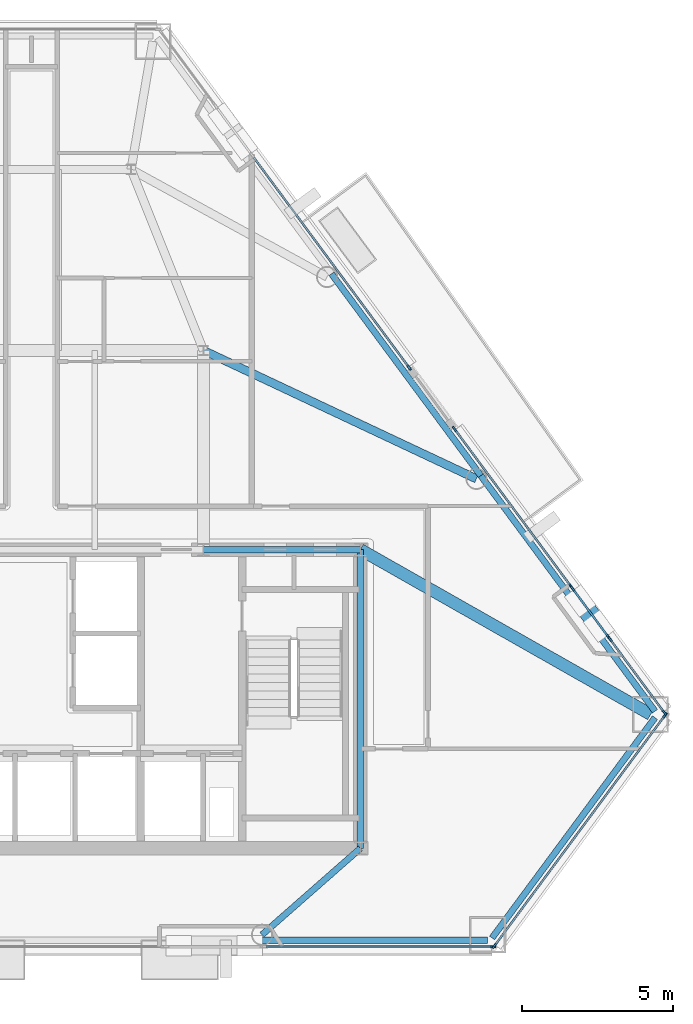
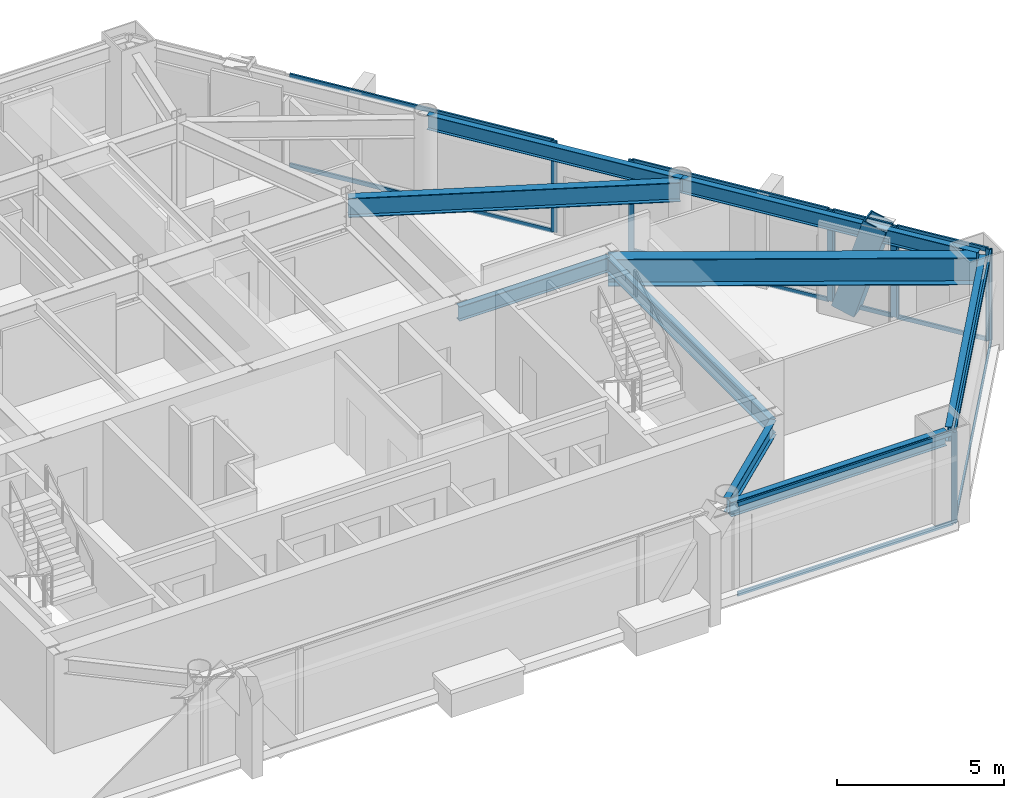
# One storey, part 5 of 11: 23 members, 9 beams, 6 elements without a shape of their own.
"""IFC4 building model written with IfcOpenShell, lengths in metres."""

import ifcopenshell
import ifcopenshell.guid

model = None  # the IFC model being written
_history = None  # IfcOwnerHistory: only IFC2X3 demands one
_inside = {}  # id of a spatial element -> (the spatial element, [elements in it])
_under = {}  # id of a project, library or spatial element -> (it, [spatial elements below it])
_declared = {}  # id of a project -> (the project, [libraries it declares])
_typed = {}  # id of a type object -> (the type object, [elements of that type])
_made_of = {}  # id of a material, layer set ... -> (it, [elements and type objects made of it])


def new_model(schema):
    """Start an empty IFC model of exactly this schema.

    Asked for "IFC4X3", IfcOpenShell would pick the latest addendum, in which some entities
    have other attributes; the version numbers below select the first issue.
    IFC2X3 requires an IfcOwnerHistory on every rooted entity: one is made here for all.
    """
    global model, _history
    if schema == "IFC4X3":
        model = ifcopenshell.file(schema_version=(4, 3, 0, 0))
    else:
        model = ifcopenshell.file(schema=schema)
    _inside.clear()
    _under.clear()
    _declared.clear()
    _typed.clear()
    _made_of.clear()
    _history = None
    if model.schema == "IFC2X3":
        org = make("IfcOrganization", Name="unknown")
        user = make(
            "IfcPersonAndOrganization",
            ThePerson=make("IfcPerson", FamilyName="unknown"),
            TheOrganization=org,
        )
        app = make(
            "IfcApplication",
            ApplicationDeveloper=org,
            Version="unknown",
            ApplicationFullName="unknown",
            ApplicationIdentifier="unknown",
        )
        _history = make(
            "IfcOwnerHistory",
            OwningUser=user,
            OwningApplication=app,
            ChangeAction="ADDED",
            CreationDate=0,
        )
    return model


def make(cls, **values):
    """One entity of the class cls with the attributes given. An attribute that is None is left unset."""
    return model.create_entity(
        cls, **{name: value for name, value in values.items() if value is not None}
    )


def rooted(cls, **values):
    """An entity with a GlobalId (a new one), such as an element, a storey or a relation."""
    return make(cls, GlobalId=ifcopenshell.guid.new(), OwnerHistory=_history, **values)


def si_unit(unit_type, name, prefix=None):
    """IfcSIUnit, for example si_unit("LENGTHUNIT", "METRE", prefix="MILLI")."""
    return make("IfcSIUnit", UnitType=unit_type, Prefix=prefix, Name=name)


def assignment(units):
    """IfcUnitAssignment: the units of a project."""
    return None if units is None else make("IfcUnitAssignment", Units=units)


def point(xyz):
    """IfcCartesianPoint."""
    return None if xyz is None else make("IfcCartesianPoint", Coordinates=xyz)


def direction(xyz):
    """IfcDirection."""
    return None if xyz is None else make("IfcDirection", DirectionRatios=xyz)


def frame(location, z_axis=None, x_axis=None):
    """IfcAxis2Placement3D, a coordinate frame: its origin and axes. An axis left out is left unset."""
    return make(
        "IfcAxis2Placement3D",
        Location=point(location),
        Axis=direction(z_axis),
        RefDirection=direction(x_axis),
    )


def frame_2d(location, x_axis=None):
    """IfcAxis2Placement2D, a coordinate frame in the plane: its origin and x axis."""
    return make(
        "IfcAxis2Placement2D", Location=point(location), RefDirection=direction(x_axis)
    )


def origin():
    """The frame at (0, 0, 0) with its axes left unset."""
    return frame((0.0, 0.0, 0.0))


def origin_2d():
    """The frame at (0, 0) in the plane with its x axis left unset."""
    return frame_2d((0.0, 0.0))


def place(relative_to, where):
    """IfcLocalPlacement: puts the frame where relative to a parent placement (None: the world)."""
    return make(
        "IfcLocalPlacement", PlacementRelTo=relative_to, RelativePlacement=where
    )


def context(
    kind, dimensions, precision=None, world=None, true_north=None, identifier=None
):
    """IfcGeometricRepresentationContext, for example the 3D "Model" context."""
    return make(
        "IfcGeometricRepresentationContext",
        ContextIdentifier=identifier,
        ContextType=kind,
        CoordinateSpaceDimension=dimensions,
        Precision=precision,
        WorldCoordinateSystem=world,
        TrueNorth=true_north,
    )


def subcontext(parent, identifier, kind, view, scale=None):
    """IfcGeometricRepresentationSubContext, for example "Body" below "Model"."""
    return make(
        "IfcGeometricRepresentationSubContext",
        ContextIdentifier=identifier,
        ContextType=kind,
        ParentContext=parent,
        TargetScale=scale,
        TargetView=view,
    )


def project(units=None, contexts=None):
    """IfcProject with its units and contexts."""
    return rooted(
        "IfcProject",
        Name="project",
        RepresentationContexts=contexts,
        UnitsInContext=assignment(units),
    )


def spatial(cls, under=None, at=None, **own):
    """A site, building, storey or space (cls), placed at a placement, below another one or the project."""
    s = rooted(cls, ObjectPlacement=at, **own)
    if under is not None:
        _under.setdefault(under.id(), (under, []))[1].append(s)
    return s


def profile(cls, at=None, kind="AREA", **sizes):
    """A parametric profile (cls). Its sizes go by their IFC names, for example OverallWidth=200.0."""
    return make(cls, ProfileType=kind, Position=at, **sizes)


def rectangle(**sizes):
    """IfcRectangleProfileDef."""
    return profile("IfcRectangleProfileDef", **sizes)


def hollow_rectangle(**sizes):
    """IfcRectangleHollowProfileDef."""
    return profile("IfcRectangleHollowProfileDef", **sizes)


def i_section(**sizes):
    """IfcIShapeProfileDef."""
    return profile("IfcIShapeProfileDef", **sizes)


def extrude(swept, where, along, depth):
    """IfcExtrudedAreaSolid: the profile swept, set in the frame where, extruded along a direction by depth."""
    return make(
        "IfcExtrudedAreaSolid",
        SweptArea=swept,
        Position=where,
        ExtrudedDirection=direction(along),
        Depth=depth,
    )


def shape(context_of_items, identifier, shape_type, items):
    """IfcShapeRepresentation: the items that make up one representation, for example the "Body"."""
    return make(
        "IfcShapeRepresentation",
        ContextOfItems=context_of_items,
        RepresentationIdentifier=identifier,
        RepresentationType=shape_type,
        Items=items,
    )


def material(Name=None, Category=None):
    """IfcMaterial."""
    return make("IfcMaterial", Name=Name, Category=Category)


def layer(
    of_material, thickness, ventilated=None, Name=None, Category=None, Priority=None
):
    """IfcMaterialLayer: one layer of a wall or slab, of a material (None: an air gap)."""
    return make(
        "IfcMaterialLayer",
        Material=of_material,
        LayerThickness=thickness,
        IsVentilated=ventilated,
        Name=Name,
        Category=Category,
        Priority=Priority,
    )


def layer_set(layers, Name=None):
    """IfcMaterialLayerSet."""
    return make("IfcMaterialLayerSet", MaterialLayers=layers, LayerSetName=Name)


def material_profile(
    of_material, cross_section, Name=None, Category=None, Priority=None
):
    """IfcMaterialProfile: a cross section and its material."""
    return make(
        "IfcMaterialProfile",
        Name=Name,
        Material=of_material,
        Profile=cross_section,
        Priority=Priority,
        Category=Category,
    )


def profile_set(profiles, Name=None, composite=None):
    """IfcMaterialProfileSet."""
    return make(
        "IfcMaterialProfileSet",
        Name=Name,
        MaterialProfiles=profiles,
        CompositeProfile=composite,
    )


def made_of(thing, what):
    """Note that an element or type object is made of a material, layer set ...; save() writes the relation."""
    if what is not None:
        _made_of.setdefault(what.id(), (what, []))[1].append(thing)
    return thing


def type_object(cls, material=None, **own):
    """A type object (cls), such as IfcWallType, which elements share."""
    return made_of(rooted(cls, **own), material)


def element(
    cls,
    number,
    at=None,
    inside=None,
    cuts=None,
    type_object=None,
    material=None,
    context=None,
    identifier="Body",
    shape_type=None,
    held_by="IfcProductDefinitionShape",
    body=None,
    shapes=None,
    **own,
):
    """One element of the class cls, such as IfcWall. Its Tag is "e" and its number.

    at: its placement. inside: the storey or other place that contains it. cuts: it is an
    opening in that element (IfcRelVoidsElement). A single representation is given by context,
    identifier, shape_type and body (its items); several are given by shapes. held_by: the class
    of the entity that holds the representations. save() writes the other relations.
    """
    e = rooted(cls, Tag="e%d" % number, ObjectPlacement=at, **own)
    if body is not None:
        shapes = [shape(context, identifier, shape_type, body)]
    if shapes is not None:
        e.Representation = make(held_by, Representations=shapes)
    if inside is not None:
        _inside.setdefault(inside.id(), (inside, []))[1].append(e)
    if cuts is not None:
        rooted(
            "IfcRelVoidsElement", RelatingBuildingElement=cuts, RelatedOpeningElement=e
        )
    if type_object is not None:
        _typed.setdefault(type_object.id(), (type_object, []))[1].append(e)
    return made_of(e, material)


def aggregate(whole, parts):
    """IfcRelAggregates: a whole, such as a stair, and the parts it consists of."""
    return rooted("IfcRelAggregates", RelatingObject=whole, RelatedObjects=parts)


def save(model, path):
    """Write the relations noted so far, then the file.

    IfcRelAggregates (storeys below a building ...), IfcRelContainedInSpatialStructure (elements
    in a storey), IfcRelDefinesByType, IfcRelAssociatesMaterial and IfcRelDeclares: one each for
    every whole, place, type object, material and project.
    """
    for whole, parts in _under.values():
        aggregate(whole, parts)
    for where, things in _inside.values():
        rooted(
            "IfcRelContainedInSpatialStructure",
            RelatedElements=things,
            RelatingStructure=where,
        )
    for kind, things in _typed.values():
        rooted("IfcRelDefinesByType", RelatedObjects=things, RelatingType=kind)
    for what, things in _made_of.values():
        rooted("IfcRelAssociatesMaterial", RelatedObjects=things, RelatingMaterial=what)
    for by, libraries in _declared.values():
        rooted("IfcRelDeclares", RelatingContext=by, RelatedDefinitions=libraries)
    model.write(path)


model = new_model("IFC4")

# Units and contexts
model_context = context("Model", 3, precision=1e-05, world=origin(), true_north=direction((0.0, 1.0)))
body_context = subcontext(model_context, "Body", "Model", "MODEL_VIEW")
ifc_project = project(units=[si_unit("LENGTHUNIT", "METRE"), si_unit("AREAUNIT", "SQUARE_METRE"), si_unit("VOLUMEUNIT", "CUBIC_METRE"), si_unit("PLANEANGLEUNIT", "RADIAN"), si_unit("MASSUNIT", "GRAM", prefix="KILO")], contexts=[model_context])

# Site, building, storey
site_placement = place(None, origin())
site = spatial("IfcSite", under=ifc_project, at=site_placement, CompositionType="ELEMENT")
building_placement = place(site_placement, origin())
building = spatial("IfcBuilding", under=site, at=building_placement, Name="Talgorran Terracotta Tower", CompositionType="ELEMENT")
storey_placement = place(building_placement, frame((0.0, 0.0, 122.10009765625)))
storey = spatial("IfcBuildingStorey", under=building, at=storey_placement, Name="L31", CompositionType="ELEMENT", Elevation=122.10009765625)

# Beams
ifc_material_1 = material(Name="Steel Grade 350 (350L0)", Category="steel")
ifc_material_profile_1 = material_profile(ifc_material_1, i_section(OverallWidth=0.39990234375, OverallDepth=1.0, WebThickness=0.01611328125, FlangeThickness=0.031005859375, at=origin_2d()), Name="1000WB296")
ifc_profile_set_1 = profile_set([ifc_material_profile_1], Name="Steel Grade 350 (350L0)")
beam_type_1 = type_object("IfcBeamType", Name="BM_1000WB296", PredefinedType="BEAM", material=ifc_profile_set_1)
beam_1_placement = place(storey_placement, frame((12.39990234375, -4.199951171875, 2.849853515625), z_axis=(0.869581927132, -0.493788691654, 0.0), x_axis=(0.493788691654, 0.869581927132, 0.0)))
element("IfcBeam", 1, at=beam_1_placement, inside=storey, type_object=beam_type_1, Name="L31 Floor Girder G18", PredefinedType="BEAM", context=body_context, shape_type="SweptSolid", body=[
    extrude(i_section(OverallWidth=0.39990234375, OverallDepth=1.0, WebThickness=0.01611328125, FlangeThickness=0.031005859375, at=origin_2d()), origin(), (0.0, 0.0, 1.0), 11.061279296875),
])
ifc_material_2 = material(Name="Steel S355 (300PLUS)", Category="steel")
ifc_material_profile_2 = material_profile(ifc_material_2, i_section(OverallWidth=0.27490234375, OverallDepth=0.7080078125, WebThickness=0.011962890625, FlangeThickness=0.02490234375, at=origin_2d()), Name="700WB173")
ifc_profile_set_2 = profile_set([ifc_material_profile_2], Name="Steel S355 (300PLUS)")
beam_type_2 = type_object("IfcBeamType", Name="BM_700WB173", PredefinedType="BEAM", material=ifc_profile_set_2)
beam_2_placement = place(storey_placement, frame((7.199951171875, 2.39990234375, 2.995849609375), z_axis=(0.904850249914, -0.425729990992, 0.0), x_axis=(0.425729990992, 0.904850249914, 0.0)))
element("IfcBeam", 2, at=beam_2_placement, inside=storey, type_object=beam_type_2, Name="L31 Floor Girder G07", PredefinedType="BEAM", context=body_context, shape_type="SweptSolid", body=[
    extrude(i_section(OverallWidth=0.27490234375, OverallDepth=0.7080078125, WebThickness=0.011962890625, FlangeThickness=0.02490234375, at=origin_2d()), origin(), (0.0, 0.0, 1.0), 9.99609375),
])
ifc_material_profile_3 = material_profile(ifc_material_2, i_section(OverallWidth=0.209228515625, OverallDepth=0.532958984375, WebThickness=0.01025390625, FlangeThickness=0.015625, at=origin_2d()), Name="530UB92.4")
ifc_profile_set_3 = profile_set([ifc_material_profile_3], Name="Steel S355 (300PLUS)")
beam_type_3 = type_object("IfcBeamType", Name="BM_SP_530UB92", PredefinedType="SPANDREL", material=ifc_profile_set_3)
beam_3_placement = place(storey_placement, frame((9.14013671875, -17.143310546875, 3.08349609375), z_axis=(1.0, 0.0, 0.0), x_axis=(0.0, 1.0, 0.0)))
element("IfcBeam", 3, at=beam_3_placement, inside=storey, type_object=beam_type_3, Name="L31 Perimeter Spandrel Beam FC2-MC3", PredefinedType="SPANDREL", context=body_context, shape_type="SweptSolid", body=[
    extrude(i_section(OverallWidth=0.209228515625, OverallDepth=0.532958984375, WebThickness=0.01025390625, FlangeThickness=0.015625, at=origin_2d()), origin(), (0.0, 0.0, 1.0), 7.478271484375),
])
beam_4_placement = place(storey_placement, frame((16.762939453125, -17.0703125, 3.08349609375), z_axis=(0.594631406603, 0.803998439228, 0.0), x_axis=(-0.803998439228, 0.594631406603, 0.0)))
element("IfcBeam", 4, at=beam_4_placement, inside=storey, type_object=beam_type_3, Name="L31 Perimeter Spandrel Beam MC3-MC4", PredefinedType="SPANDREL", context=body_context, shape_type="SweptSolid", body=[
    extrude(i_section(OverallWidth=0.209228515625, OverallDepth=0.532958984375, WebThickness=0.01025390625, FlangeThickness=0.015625, at=origin_2d()), origin(), (0.0, 0.0, 1.0), 9.08154296875),
])
beam_5_placement = place(storey_placement, frame((22.1630859375, -9.554931640625, 3.08349609375), z_axis=(-0.594623640759, 0.804004182732, 0.0), x_axis=(-0.804004182732, -0.594623640759, 0.0)))
element("IfcBeam", 5, at=beam_5_placement, inside=storey, type_object=beam_type_3, Name="L31 Perimeter Spandrel Beam MC4-FC3", PredefinedType="SPANDREL", context=body_context, shape_type="SweptSolid", body=[
    extrude(i_section(OverallWidth=0.209228515625, OverallDepth=0.532958984375, WebThickness=0.01025390625, FlangeThickness=0.015625, at=origin_2d()), origin(), (0.0, 0.0, 1.0), 9.70947265625),
])
beam_6_placement = place(storey_placement, frame((16.3896484375, -1.74853515625, 3.08349609375), z_axis=(-0.594631062308, 0.803998693866, 0.0), x_axis=(-0.803998693866, -0.594631062308, 0.0)))
element("IfcBeam", 6, at=beam_6_placement, inside=storey, type_object=beam_type_3, Name="L31 Perimeter Spandrel Beam FC3-FC4", PredefinedType="SPANDREL", context=body_context, shape_type="SweptSolid", body=[
    extrude(i_section(OverallWidth=0.209228515625, OverallDepth=0.532958984375, WebThickness=0.01025390625, FlangeThickness=0.015625, at=origin_2d()), origin(), (0.0, 0.0, 1.0), 8.322265625),
])
beam_7_placement = place(storey_placement, frame((12.39990234375, -14.10009765625, 3.08349609375), z_axis=(-0.751320451725, -0.659937556758, 0.0), x_axis=(0.659937556758, -0.751320451725, 0.0)))
element("IfcBeam", 7, at=beam_7_placement, inside=storey, type_object=beam_type_3, Name="L31 South-East Core Tie Beam", PredefinedType="SPANDREL", context=body_context, shape_type="SweptSolid", body=[
    extrude(i_section(OverallWidth=0.209228515625, OverallDepth=0.532958984375, WebThickness=0.01025390625, FlangeThickness=0.015625, at=origin_2d()), origin(), (0.0, 0.0, 1.0), 4.338623046875),
])
beam_8_placement = place(storey_placement, frame((12.39990234375, -14.10009765625, 3.08349609375), z_axis=(0.0, 1.0, 0.0), x_axis=(-1.0, 0.0, 0.0)))
element("IfcBeam", 8, at=beam_8_placement, inside=storey, type_object=beam_type_3, Name="L31 Core Frame Beam CFE", PredefinedType="SPANDREL", context=body_context, shape_type="SweptSolid", body=[
    extrude(i_section(OverallWidth=0.209228515625, OverallDepth=0.532958984375, WebThickness=0.01025390625, FlangeThickness=0.015625, at=origin_2d()), origin(), (0.0, 0.0, 1.0), 9.900146484375),
])
beam_9_placement = place(storey_placement, frame((7.199951171875, -4.199951171875, 3.08349609375), z_axis=(1.0, 0.0, 0.0), x_axis=(0.0, 1.0, 0.0)))
element("IfcBeam", 9, at=beam_9_placement, inside=storey, type_object=beam_type_3, Name="L31 Core Frame Beam CFN4", PredefinedType="SPANDREL", context=body_context, shape_type="SweptSolid", body=[
    extrude(i_section(OverallWidth=0.209228515625, OverallDepth=0.532958984375, WebThickness=0.01025390625, FlangeThickness=0.015625, at=origin_2d()), origin(), (0.0, 0.0, 1.0), 5.199951171875),
])

# Member
ifc_material_profile_4 = material_profile(ifc_material_1, hollow_rectangle(XDim=0.6201171875, YDim=0.780029296875, WallThickness=0.0419921875, at=origin_2d()), Name="WBOX780X620X42")
ifc_profile_set_4 = profile_set([ifc_material_profile_4], Name="Steel Grade 350 (350L0)")
member_type_1 = type_object("IfcMemberType", Name="MB_MEGA_780", PredefinedType="BRACE", material=ifc_profile_set_4)
member_1_placement = place(storey_placement, frame((19.683837890625, -5.899658203125, -0.025146484375), z_axis=(0.174360694354, -0.235798813034, 0.956032043415), x_axis=(0.804054507608, 0.594555589323, 0.0)))
element("IfcMember", 10, at=member_1_placement, inside=storey, type_object=member_type_1, Name="L31 Exterior Face Mega-Brace MB-2 (NEL)", PredefinedType="BRACE", context=body_context, shape_type="SweptSolid", body=[
    extrude(hollow_rectangle(XDim=0.6201171875, YDim=0.780029296875, WallThickness=0.0419921875, at=origin_2d()), origin(), (0.0, 0.0, 1.0), 3.556640625),
])

# Curtain wall, member
ifc_material_3 = material(Name="Unitised Low-E Double Glazing", Category="glass")
ifc_layer = layer(ifc_material_3, 0.199951171875, Name="CW_SYS2_RES_LOW")
ifc_layer_set = layer_set([ifc_layer], Name="Unitised Low-E Double Glazing")
curtain_wall_type = type_object("IfcCurtainWallType", Name="CW_SYS2_RES_LOW", PredefinedType="NOTDEFINED", material=ifc_layer_set)
curtain_wall_1_placement = place(storey_placement, origin())
curtain_wall_1 = element("IfcCurtainWall", 11, at=curtain_wall_1_placement, inside=storey, type_object=curtain_wall_type, Name="CW-L31-F1E", PredefinedType="NOTDEFINED")
ifc_material_4 = material(Name="Architectural Aluminium 6063-T6", Category="aluminium")
ifc_material_profile_5 = material_profile(ifc_material_4, rectangle(XDim=0.06494140625, YDim=0.18505859375, at=origin_2d()), Name="CWM65X185")
ifc_profile_set_5 = profile_set([ifc_material_profile_5], Name="Architectural Aluminium 6063-T6")
member_type_2 = type_object("IfcMemberType", Name="MUL_65X185", PredefinedType="MULLION", material=ifc_profile_set_5)
member_2_placement = place(storey_placement, frame((16.78759765625, -17.36328125, 0.0), z_axis=(0.0, 0.0, 1.0), x_axis=(0.0, 1.0, 0.0)))
member_2 = element("IfcMember", 12, at=member_2_placement, type_object=member_type_2, Name="CW-L31-1E mullion 2", PredefinedType="MULLION", context=body_context, shape_type="SweptSolid", body=[
    extrude(rectangle(XDim=0.06494140625, YDim=0.18505859375, at=origin_2d()), origin(), (0.0, 0.0, 1.0), 3.349853515625),
])

# Curtain wall, members
curtain_wall_2_placement = place(storey_placement, origin())
curtain_wall_2 = element("IfcCurtainWall", 13, at=curtain_wall_2_placement, inside=storey, type_object=curtain_wall_type, Name="CW-L31-F2", PredefinedType="NOTDEFINED")
member_3_placement = place(storey_placement, frame((16.83935546875, -17.337158203125, 0.0), z_axis=(0.0, 0.0, 1.0), x_axis=(-0.803993423692, 0.594638188027, 0.0)))
member_3 = element("IfcMember", 14, at=member_3_placement, type_object=member_type_2, Name="CW-L31-2 mullion 1", PredefinedType="MULLION", context=body_context, shape_type="SweptSolid", body=[
    extrude(rectangle(XDim=0.06494140625, YDim=0.18505859375, at=origin_2d()), origin(), (0.0, 0.0, 1.0), 3.349853515625),
])
member_4_placement = place(storey_placement, frame((22.49658203125, -9.68798828125, 0.0), z_axis=(0.0, 0.0, 1.0), x_axis=(-0.803993423692, 0.594638188027, 0.0)))
member_4 = element("IfcMember", 15, at=member_4_placement, type_object=member_type_2, Name="CW-L31-2 mullion 2", PredefinedType="MULLION", context=body_context, shape_type="SweptSolid", body=[
    extrude(rectangle(XDim=0.06494140625, YDim=0.18505859375, at=origin_2d()), origin(), (0.0, 0.0, 1.0), 3.349853515625),
])

curtain_wall_3_placement = place(storey_placement, origin())
curtain_wall_3 = element("IfcCurtainWall", 16, at=curtain_wall_3_placement, inside=storey, type_object=curtain_wall_type, Name="CW-L31-F40", PredefinedType="NOTDEFINED")
member_5_placement = place(storey_placement, frame((22.472900390625, -9.603515625, 0.0), z_axis=(0.0, 0.0, 1.0), x_axis=(-0.803994981019, -0.594636082403, 0.0)))
member_5 = element("IfcMember", 17, at=member_5_placement, type_object=member_type_2, Name="CW-L31-40 mullion 1", PredefinedType="MULLION", context=body_context, shape_type="SweptSolid", body=[
    extrude(rectangle(XDim=0.06494140625, YDim=0.18505859375, at=origin_2d()), origin(), (0.0, 0.0, 1.0), 3.349853515625),
])
member_6_placement = place(storey_placement, frame((20.66943359375, -7.1650390625, 0.0), z_axis=(0.0, 0.0, 1.0), x_axis=(-0.803994981019, -0.594636082403, 0.0)))
member_6 = element("IfcMember", 18, at=member_6_placement, type_object=member_type_2, Name="CW-L31-40 mullion 2", PredefinedType="MULLION", context=body_context, shape_type="SweptSolid", body=[
    extrude(rectangle(XDim=0.06494140625, YDim=0.18505859375, at=origin_2d()), origin(), (0.0, 0.0, 1.0), 3.349853515625),
])

curtain_wall_4_placement = place(storey_placement, origin())
curtain_wall_4 = element("IfcCurtainWall", 19, at=curtain_wall_4_placement, inside=storey, type_object=curtain_wall_type, Name="CW-L31-F40B", PredefinedType="NOTDEFINED")
member_7_placement = place(storey_placement, frame((20.624755859375, -7.104736328125, 0.0), z_axis=(0.0, 0.0, 1.0), x_axis=(-0.803994148166, -0.594637208485, 0.0)))
member_7 = element("IfcMember", 20, at=member_7_placement, type_object=member_type_2, Name="CW-L31-40B mullion 1", PredefinedType="MULLION", context=body_context, shape_type="SweptSolid", body=[
    extrude(rectangle(XDim=0.06494140625, YDim=0.18505859375, at=origin_2d()), origin(), (0.0, 0.0, 1.0), 3.349853515625),
])
member_8_placement = place(storey_placement, frame((19.42724609375, -5.48583984375, 0.0), z_axis=(0.0, 0.0, 1.0), x_axis=(-0.803994148166, -0.594637208485, 0.0)))
member_8 = element("IfcMember", 21, at=member_8_placement, type_object=member_type_2, Name="CW-L31-40B mullion 2", PredefinedType="MULLION", context=body_context, shape_type="SweptSolid", body=[
    extrude(rectangle(XDim=0.06494140625, YDim=0.18505859375, at=origin_2d()), origin(), (0.0, 0.0, 1.0), 3.349853515625),
])

curtain_wall_5_placement = place(storey_placement, origin())
curtain_wall_5 = element("IfcCurtainWall", 22, at=curtain_wall_5_placement, inside=storey, type_object=curtain_wall_type, Name="CW-L31-F40C", PredefinedType="NOTDEFINED")
member_9_placement = place(storey_placement, frame((19.382568359375, -5.425537109375, 0.0), z_axis=(0.0, 0.0, 1.0), x_axis=(-0.803994997978, -0.594636059474, 0.0)))
member_9 = element("IfcMember", 23, at=member_9_placement, type_object=member_type_2, Name="CW-L31-40C mullion 1", PredefinedType="MULLION", context=body_context, shape_type="SweptSolid", body=[
    extrude(rectangle(XDim=0.06494140625, YDim=0.18505859375, at=origin_2d()), origin(), (0.0, 0.0, 1.0), 3.349853515625),
])
member_10_placement = place(storey_placement, frame((15.518310546875, -0.200439453125, 0.0), z_axis=(0.0, 0.0, 1.0), x_axis=(-0.803994997978, -0.594636059474, 0.0)))
member_10 = element("IfcMember", 24, at=member_10_placement, type_object=member_type_2, Name="CW-L31-40C mullion 2", PredefinedType="MULLION", context=body_context, shape_type="SweptSolid", body=[
    extrude(rectangle(XDim=0.06494140625, YDim=0.18505859375, at=origin_2d()), origin(), (0.0, 0.0, 1.0), 3.349853515625),
])

# Curtain wall, member
curtain_wall_6_placement = place(storey_placement, origin())
curtain_wall_6 = element("IfcCurtainWall", 25, at=curtain_wall_6_placement, inside=storey, type_object=curtain_wall_type, Name="CW-L31-F41", PredefinedType="NOTDEFINED")
member_11_placement = place(storey_placement, frame((14.016845703125, 1.82958984375, 0.0), z_axis=(0.0, 0.0, 1.0), x_axis=(-0.803997273561, -0.594632982692, 0.0)))
member_11 = element("IfcMember", 26, at=member_11_placement, type_object=member_type_2, Name="CW-L31-41 mullion 1", PredefinedType="MULLION", context=body_context, shape_type="SweptSolid", body=[
    extrude(rectangle(XDim=0.06494140625, YDim=0.18505859375, at=origin_2d()), origin(), (0.0, 0.0, 1.0), 3.349853515625),
])

# Member
ifc_material_profile_6 = material_profile(ifc_material_4, rectangle(XDim=0.06494140625, YDim=0.14990234375, at=origin_2d()), Name="CWT65X150")
ifc_profile_set_6 = profile_set([ifc_material_profile_6], Name="Architectural Aluminium 6063-T6")
member_type_3 = type_object("IfcMemberType", Name="TRN_65X150", PredefinedType="USERDEFINED", material=ifc_profile_set_6)
member_12_placement = place(storey_placement, frame((9.276611328125, -17.36328125, 0.032470703125), z_axis=(1.0, 0.0, 0.0), x_axis=(0.0, 1.0, 0.0)))
member_12 = element("IfcMember", 27, at=member_12_placement, type_object=member_type_3, Name="CW-L31-1E transom 1.1", ObjectType="TRANSOM", PredefinedType="USERDEFINED", context=body_context, shape_type="SweptSolid", body=[
    extrude(rectangle(XDim=0.06494140625, YDim=0.14990234375, at=origin_2d()), origin(), (0.0, 0.0, 1.0), 7.478271484375),
])

member_13_placement = place(storey_placement, frame((9.276611328125, -17.36328125, 3.3173828125), z_axis=(1.0, 0.0, 0.0), x_axis=(0.0, 1.0, 0.0)))
member_13 = element("IfcMember", 28, at=member_13_placement, type_object=member_type_3, Name="CW-L31-1E transom 1.2", ObjectType="TRANSOM", PredefinedType="USERDEFINED", context=body_context, shape_type="SweptSolid", body=[
    extrude(rectangle(XDim=0.06494140625, YDim=0.14990234375, at=origin_2d()), origin(), (0.0, 0.0, 1.0), 7.478271484375),
])

aggregate(curtain_wall_1, [member_2, member_12, member_13])

member_14_placement = place(storey_placement, frame((16.858642578125, -17.31103515625, 0.032470703125), z_axis=(0.594632956337, 0.803997293054, 0.0), x_axis=(-0.803997293054, 0.594632956337, 0.0)))
member_14 = element("IfcMember", 29, at=member_14_placement, type_object=member_type_3, Name="CW-L31-2 transom 1.1", ObjectType="TRANSOM", PredefinedType="USERDEFINED", context=body_context, shape_type="SweptSolid", body=[
    extrude(rectangle(XDim=0.06494140625, YDim=0.14990234375, at=origin_2d()), origin(), (0.0, 0.0, 1.0), 9.448974609375),
])

member_15_placement = place(storey_placement, frame((16.858642578125, -17.31103515625, 3.3173828125), z_axis=(0.594632956337, 0.803997293054, 0.0), x_axis=(-0.803997293054, 0.594632956337, 0.0)))
member_15 = element("IfcMember", 30, at=member_15_placement, type_object=member_type_3, Name="CW-L31-2 transom 1.2", ObjectType="TRANSOM", PredefinedType="USERDEFINED", context=body_context, shape_type="SweptSolid", body=[
    extrude(rectangle(XDim=0.06494140625, YDim=0.14990234375, at=origin_2d()), origin(), (0.0, 0.0, 1.0), 9.448974609375),
])

aggregate(curtain_wall_2, [member_3, member_4, member_14, member_15])

member_16_placement = place(storey_placement, frame((22.45361328125, -9.577392578125, 0.032470703125), z_axis=(-0.594643135574, 0.803989764434, 0.0), x_axis=(-0.803989764434, -0.594643135574, 0.0)))
member_16 = element("IfcMember", 31, at=member_16_placement, type_object=member_type_3, Name="CW-L31-40 transom 1.1", ObjectType="TRANSOM", PredefinedType="USERDEFINED", context=body_context, shape_type="SweptSolid", body=[
    extrude(rectangle(XDim=0.06494140625, YDim=0.14990234375, at=origin_2d()), origin(), (0.0, 0.0, 1.0), 2.968017578125),
])

member_17_placement = place(storey_placement, frame((22.45361328125, -9.577392578125, 3.3173828125), z_axis=(-0.594643135574, 0.803989764434, 0.0), x_axis=(-0.803989764434, -0.594643135574, 0.0)))
member_17 = element("IfcMember", 32, at=member_17_placement, type_object=member_type_3, Name="CW-L31-40 transom 1.2", ObjectType="TRANSOM", PredefinedType="USERDEFINED", context=body_context, shape_type="SweptSolid", body=[
    extrude(rectangle(XDim=0.06494140625, YDim=0.14990234375, at=origin_2d()), origin(), (0.0, 0.0, 1.0), 2.968017578125),
])

aggregate(curtain_wall_3, [member_5, member_6, member_16, member_17])

member_18_placement = place(storey_placement, frame((20.60546875, -7.07861328125, 0.032470703125), z_axis=(-0.594715092712, 0.803936538852, 0.0), x_axis=(-0.803936538852, -0.594715092712, 0.0)))
member_18 = element("IfcMember", 33, at=member_18_placement, type_object=member_type_3, Name="CW-L31-40B transom 1.1", ObjectType="TRANSOM", PredefinedType="USERDEFINED", context=body_context, shape_type="SweptSolid", body=[
    extrude(rectangle(XDim=0.06494140625, YDim=0.14990234375, at=origin_2d()), origin(), (0.0, 0.0, 1.0), 1.94873046875),
])

member_19_placement = place(storey_placement, frame((20.60546875, -7.07861328125, 3.3173828125), z_axis=(-0.594715092712, 0.803936538852, 0.0), x_axis=(-0.803936538852, -0.594715092712, 0.0)))
member_19 = element("IfcMember", 34, at=member_19_placement, type_object=member_type_3, Name="CW-L31-40B transom 1.2", ObjectType="TRANSOM", PredefinedType="USERDEFINED", context=body_context, shape_type="SweptSolid", body=[
    extrude(rectangle(XDim=0.06494140625, YDim=0.14990234375, at=origin_2d()), origin(), (0.0, 0.0, 1.0), 1.94873046875),
])

aggregate(curtain_wall_4, [member_7, member_8, member_18, member_19])

member_20_placement = place(storey_placement, frame((19.36328125, -5.3994140625, 0.032470703125), z_axis=(-0.594619364697, 0.804007345195, 0.0), x_axis=(-0.804007345195, -0.594619364697, 0.0)))
member_20 = element("IfcMember", 35, at=member_20_placement, type_object=member_type_3, Name="CW-L31-40C transom 1.1", ObjectType="TRANSOM", PredefinedType="USERDEFINED", context=body_context, shape_type="SweptSolid", body=[
    extrude(rectangle(XDim=0.06494140625, YDim=0.14990234375, at=origin_2d()), origin(), (0.0, 0.0, 1.0), 6.433837890625),
])

member_21_placement = place(storey_placement, frame((19.36328125, -5.3994140625, 3.3173828125), z_axis=(-0.594619364697, 0.804007345195, 0.0), x_axis=(-0.804007345195, -0.594619364697, 0.0)))
member_21 = element("IfcMember", 36, at=member_21_placement, type_object=member_type_3, Name="CW-L31-40C transom 1.2", ObjectType="TRANSOM", PredefinedType="USERDEFINED", context=body_context, shape_type="SweptSolid", body=[
    extrude(rectangle(XDim=0.06494140625, YDim=0.14990234375, at=origin_2d()), origin(), (0.0, 0.0, 1.0), 6.433837890625),
])

aggregate(curtain_wall_5, [member_9, member_10, member_20, member_21])

member_22_placement = place(storey_placement, frame((13.99755859375, 1.855712890625, 0.032470703125), z_axis=(-0.59463071431, 0.803998951243, 0.0), x_axis=(-0.803998951243, -0.59463071431, 0.0)))
member_22 = element("IfcMember", 37, at=member_22_placement, type_object=member_type_3, Name="CW-L31-41 transom 1.1", ObjectType="TRANSOM", PredefinedType="USERDEFINED", context=body_context, shape_type="SweptSolid", body=[
    extrude(rectangle(XDim=0.06494140625, YDim=0.14990234375, at=origin_2d()), origin(), (0.0, 0.0, 1.0), 8.620849609375),
])

member_23_placement = place(storey_placement, frame((13.99755859375, 1.855712890625, 3.3173828125), z_axis=(-0.59463071431, 0.803998951243, 0.0), x_axis=(-0.803998951243, -0.59463071431, 0.0)))
member_23 = element("IfcMember", 38, at=member_23_placement, type_object=member_type_3, Name="CW-L31-41 transom 1.2", ObjectType="TRANSOM", PredefinedType="USERDEFINED", context=body_context, shape_type="SweptSolid", body=[
    extrude(rectangle(XDim=0.06494140625, YDim=0.14990234375, at=origin_2d()), origin(), (0.0, 0.0, 1.0), 8.620849609375),
])

aggregate(curtain_wall_6, [member_11, member_22, member_23])

save(model, "model.ifc")
